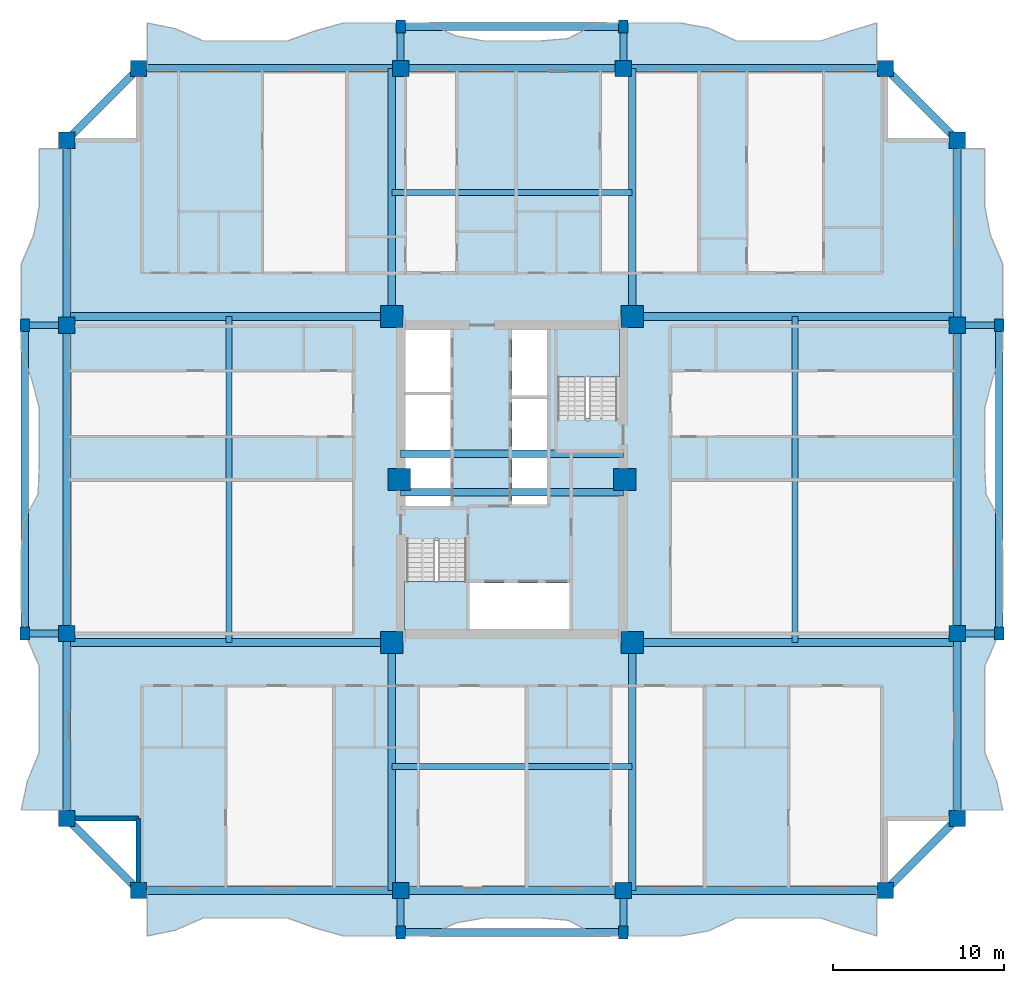
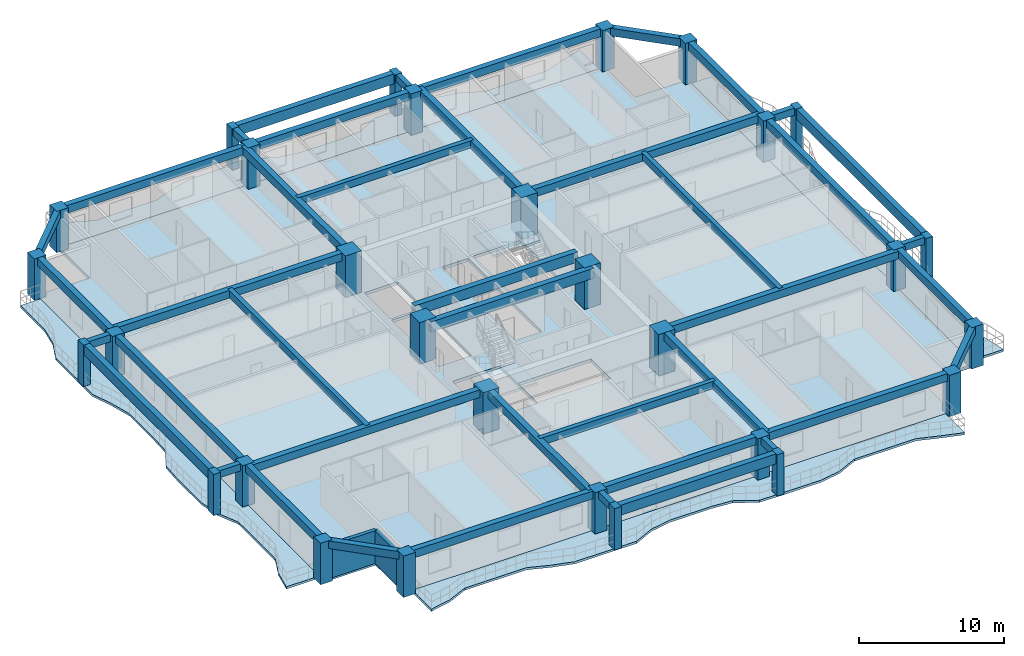
# One storey, part 1 of 17: 42 beams, 30 columns, 7 slabs, 2 walls, 2 elements without a shape of their own.
"""IFC4 building model written with IfcOpenShell, lengths in metres."""

from ifc_helpers import new_model, si_unit, direction, frame, frame_2d, origin, origin_2d, place, context, subcontext, project, spatial, polyline, rectangle, outline, extrude, source, transform, mapped, material, layer, layer_set, material_profile, profile_set, type_object, element, aggregate, save


model = new_model("IFC4")

# Units and contexts
model_context = context("Model", 3, precision=1e-05, world=origin(), true_north=direction((0.0, 1.0)))
body_context = subcontext(model_context, "Body", "Model", "MODEL_VIEW")
ifc_project = project(units=[si_unit("LENGTHUNIT", "METRE"), si_unit("AREAUNIT", "SQUARE_METRE"), si_unit("VOLUMEUNIT", "CUBIC_METRE"), si_unit("PLANEANGLEUNIT", "RADIAN"), si_unit("MASSUNIT", "GRAM", prefix="KILO")], contexts=[model_context])

# Site, building, storey
site_placement = place(None, origin())
site = spatial("IfcSite", under=ifc_project, at=site_placement, CompositionType="ELEMENT")
building_placement = place(site_placement, origin())
building = spatial("IfcBuilding", under=site, at=building_placement, Name="Saelheon Loggia Tower", CompositionType="ELEMENT")
storey_placement = place(building_placement, frame((0.0, 0.0, 74.35009765625)))
storey = spatial("IfcBuildingStorey", under=building, at=storey_placement, Name="L23", CompositionType="ELEMENT", Elevation=74.35009765625)

# Columns
ifc_material_1 = material(Name="Concrete C60/75", Category="concrete")
ifc_material_profile_1 = material_profile(ifc_material_1, rectangle(XDim=1.300048828125, YDim=1.300048828125, at=origin_2d()), Name="RC-1300x1300")
ifc_profile_set_1 = profile_set([ifc_material_profile_1], Name="Concrete C60/75")
column_type_1 = type_object("IfcColumnType", Name="Col_Core_RC1300", PredefinedType="COLUMN", material=ifc_profile_set_1)
shared_shape_1 = source(origin(), body_context, "Body", "SweptSolid", [
    extrude(rectangle(XDim=1.300048828125, YDim=1.300048828125, at=origin_2d()), origin(), (0.0, 0.0, 1.0), 3.5),
])
for number, where, z_axis, x_axis, name in (
    (1, (30.97998046875, 17.47998046875, 0.0), (0.0, 0.0, 1.0), (1.0, 0.0, 0.0), "L23 Core Column CR-SW"),
    (2, (45.02001953125, 17.47998046875, 0.0), (0.0, 0.0, 1.0), (1.0, 0.0, 0.0), "L23 Core Column CR-SE"),
    (3, (30.97998046875, 36.52001953125, 0.0), (0.0, 0.0, 1.0), (1.0, 0.0, 0.0), "L23 Core Column CR-NW"),
    (4, (45.02001953125, 36.52001953125, 0.0), (0.0, 0.0, 1.0), (1.0, 0.0, 0.0), "L23 Core Column CR-NE"),
    (5, (31.419921875, 27.0, 0.0), (0.0, 0.0, 1.0), (1.0, 0.0, 0.0), "L23 Core Column CR-MW"),
    (6, (44.580078125, 27.0, 0.0), (0.0, 0.0, 1.0), (1.0, 0.0, 0.0), "L23 Core Column CR-ME"),
):
    element("IfcColumn", number, at=place(storey_placement, frame(where, z_axis=z_axis, x_axis=x_axis)), inside=storey, type_object=column_type_1, Name=name, PredefinedType="COLUMN", context=body_context, shape_type="MappedRepresentation", body=[
        mapped(shared_shape_1, transform((0.0, 0.0, 0.0), scale=1.0)),
    ])
ifc_material_2 = material(Name="Concrete C50/60", Category="concrete")
ifc_material_profile_2 = material_profile(ifc_material_2, rectangle(XDim=0.949951171875, YDim=0.949951171875, at=origin_2d()), Name="RC-950x950")
ifc_profile_set_2 = profile_set([ifc_material_profile_2], Name="Concrete C50/60")
column_type_2 = type_object("IfcColumnType", Name="Col_Perim_RC950", PredefinedType="COLUMN", material=ifc_profile_set_2)
shared_shape_2 = source(origin(), body_context, "Body", "SweptSolid", [
    extrude(rectangle(XDim=0.949951171875, YDim=0.949951171875, at=origin_2d()), origin(), (0.0, 0.0, 1.0), 3.5),
])
for number, where, z_axis, x_axis, name in (
    (7, (16.199951171875, 3.0, 0.0), (0.0, 0.0, 1.0), (1.0, 0.0, 0.0), "L23 Perimeter Column TP-S1"),
    (8, (31.5, 3.0, 0.0), (0.0, 0.0, 1.0), (1.0, 0.0, 0.0), "L23 Perimeter Column TP-SA"),
    (9, (44.5, 3.0, 0.0), (0.0, 0.0, 1.0), (1.0, 0.0, 0.0), "L23 Perimeter Column TP-SB"),
    (10, (59.800048828125, 3.0, 0.0), (0.0, 0.0, 1.0), (1.0, 0.0, 0.0), "L23 Perimeter Column TP-S2"),
    (11, (64.0, 7.199951171875, 0.0), (0.0, 0.0, 1.0), (1.0, 0.0, 0.0), "L23 Perimeter Column TP-E1"),
    (12, (64.0, 18.0, 0.0), (0.0, 0.0, 1.0), (1.0, 0.0, 0.0), "L23 Perimeter Column TP-EA"),
    (13, (64.0, 36.0, 0.0), (0.0, 0.0, 1.0), (1.0, 0.0, 0.0), "L23 Perimeter Column TP-EB"),
    (14, (64.0, 46.800048828125, 0.0), (0.0, 0.0, 1.0), (1.0, 0.0, 0.0), "L23 Perimeter Column TP-E2"),
    (15, (59.800048828125, 51.0, 0.0), (0.0, 0.0, 1.0), (1.0, 0.0, 0.0), "L23 Perimeter Column TP-N2"),
    (16, (44.5, 51.0, 0.0), (0.0, 0.0, 1.0), (1.0, 0.0, 0.0), "L23 Perimeter Column TP-NB"),
    (17, (31.5, 51.0, 0.0), (0.0, 0.0, 1.0), (1.0, 0.0, 0.0), "L23 Perimeter Column TP-NA"),
    (18, (16.199951171875, 51.0, 0.0), (0.0, 0.0, 1.0), (1.0, 0.0, 0.0), "L23 Perimeter Column TP-N1"),
    (19, (12.0, 46.800048828125, 0.0), (0.0, 0.0, 1.0), (1.0, 0.0, 0.0), "L23 Perimeter Column TP-W2"),
    (20, (12.0, 36.0, 0.0), (0.0, 0.0, 1.0), (1.0, 0.0, 0.0), "L23 Perimeter Column TP-WB"),
    (21, (12.0, 18.0, 0.0), (0.0, 0.0, 1.0), (1.0, 0.0, 0.0), "L23 Perimeter Column TP-WA"),
    (22, (12.0, 7.199951171875, 0.0), (0.0, 0.0, 1.0), (1.0, 0.0, 0.0), "L23 Perimeter Column TP-W1"),
):
    element("IfcColumn", number, at=place(storey_placement, frame(where, z_axis=z_axis, x_axis=x_axis)), inside=storey, type_object=column_type_2, Name=name, PredefinedType="COLUMN", context=body_context, shape_type="MappedRepresentation", body=[
        mapped(shared_shape_2, transform((0.0, 0.0, 0.0), scale=1.0)),
    ])
ifc_material_3 = material(Name="Precast Concrete C45/55", Category="concrete")
ifc_material_profile_3 = material_profile(ifc_material_3, rectangle(XDim=0.550048828125, YDim=0.75, at=origin_2d()), Name="RC-550x750")
ifc_profile_set_3 = profile_set([ifc_material_profile_3], Name="Precast Concrete C45/55")
column_type_3 = type_object("IfcColumnType", Name="Col_Loggia_Pilaster_750", PredefinedType="PILASTER", material=ifc_profile_set_3)
shared_shape_3 = source(origin(), body_context, "Body", "SweptSolid", [
    extrude(rectangle(XDim=0.550048828125, YDim=0.75, at=origin_2d()), origin(), (0.0, 0.0, 1.0), 3.5),
])
for number, where, z_axis, x_axis, name in (
    (23, (31.5, 0.550048828125, 0.0), (0.0, 0.0, 1.0), (1.0, 0.0, 0.0), "L23 Loggia Frame Pilaster LP-S1"),
    (24, (44.5, 0.550048828125, 0.0), (0.0, 0.0, 1.0), (1.0, 0.0, 0.0), "L23 Loggia Frame Pilaster LP-S2"),
    (25, (31.5, 53.449951171875, 0.0), (0.0, 0.0, 1.0), (1.0, 0.0, 0.0), "L23 Loggia Frame Pilaster LP-N1"),
    (26, (44.5, 53.449951171875, 0.0), (0.0, 0.0, 1.0), (1.0, 0.0, 0.0), "L23 Loggia Frame Pilaster LP-N2"),
    (27, (66.449951171875, 18.0, 0.0), (0.0, 0.0, 1.0), (1.0, 0.0, 0.0), "L23 Loggia Frame Pilaster LP-E1"),
    (28, (66.449951171875, 36.0, 0.0), (0.0, 0.0, 1.0), (1.0, 0.0, 0.0), "L23 Loggia Frame Pilaster LP-E2"),
    (29, (9.550048828125, 18.0, 0.0), (0.0, 0.0, 1.0), (1.0, 0.0, 0.0), "L23 Loggia Frame Pilaster LP-W1"),
    (30, (9.550048828125, 36.0, 0.0), (0.0, 0.0, 1.0), (1.0, 0.0, 0.0), "L23 Loggia Frame Pilaster LP-W2"),
):
    element("IfcColumn", number, at=place(storey_placement, frame(where, z_axis=z_axis, x_axis=x_axis)), inside=storey, type_object=column_type_3, Name=name, PredefinedType="PILASTER", context=body_context, shape_type="MappedRepresentation", body=[
        mapped(shared_shape_3, transform((0.0, 0.0, 0.0), scale=1.0)),
    ])

# Beams
ifc_material_profile_4 = material_profile(ifc_material_2, rectangle(XDim=0.449951171875, YDim=0.85009765625, at=origin_2d()), Name="RC-450x850")
ifc_profile_set_4 = profile_set([ifc_material_profile_4], Name="Concrete C50/60")
beam_type_1 = type_object("IfcBeamType", Name="Beam_CoreLintel_RC450x850", PredefinedType="LINTEL", material=ifc_profile_set_4)
shared_shape_4 = source(origin(), body_context, "Body", "SweptSolid", [
    extrude(rectangle(XDim=0.449951171875, YDim=0.85009765625, at=origin_2d()), origin(), (0.0, 0.0, 1.0), 13.0),
])
for number, where, z_axis, x_axis, name in (
    (31, (31.5, 26.25, 3.074951171875), (1.0, 0.0, 0.0), (0.0, 1.0, 0.0), "L23 Core Coupling Lintel 1"),
    (32, (31.5, 28.5, 3.074951171875), (1.0, 0.0, 0.0), (0.0, 1.0, 0.0), "L23 Core Coupling Lintel 2"),
):
    element("IfcBeam", number, at=place(storey_placement, frame(where, z_axis=z_axis, x_axis=x_axis)), inside=storey, type_object=beam_type_1, Name=name, PredefinedType="LINTEL", context=body_context, shape_type="MappedRepresentation", body=[
        mapped(shared_shape_4, transform((0.0, 0.0, 0.0), scale=1.0)),
    ])
ifc_material_profile_5 = material_profile(ifc_material_3, rectangle(XDim=0.449951171875, YDim=0.85009765625, at=origin_2d()), Name="RC-450x850")
ifc_profile_set_5 = profile_set([ifc_material_profile_5], Name="Precast Concrete C45/55")
beam_type_2 = type_object("IfcBeamType", Name="Beam_LoggiaSpandrel_RC450x850", PredefinedType="SPANDREL", material=ifc_profile_set_5)
for number, where, z_axis, x_axis, name in (
    (33, (31.5, 0.550048828125, 3.074951171875), (1.0, 0.0, 0.0), (0.0, 1.0, 0.0), "L23 Loggia Spandrel Beam S"),
    (34, (31.5, 53.449951171875, 3.074951171875), (1.0, 0.0, 0.0), (0.0, 1.0, 0.0), "L23 Loggia Spandrel Beam N"),
):
    element("IfcBeam", number, at=place(storey_placement, frame(where, z_axis=z_axis, x_axis=x_axis)), inside=storey, type_object=beam_type_2, Name=name, PredefinedType="SPANDREL", context=body_context, shape_type="MappedRepresentation", body=[
        mapped(shared_shape_4, transform((0.0, 0.0, 0.0), scale=1.0)),
    ])
ifc_material_profile_6 = material_profile(ifc_material_3, rectangle(XDim=0.39990234375, YDim=0.60009765625, at=origin_2d()), Name="RC-400x600")
ifc_profile_set_6 = profile_set([ifc_material_profile_6], Name="Precast Concrete C45/55")
beam_type_3 = type_object("IfcBeamType", Name="Beam_LoggiaTie_RC400x600", PredefinedType="BEAM", material=ifc_profile_set_6)
shared_shape_5 = source(origin(), body_context, "Body", "SweptSolid", [
    extrude(rectangle(XDim=0.39990234375, YDim=0.60009765625, at=origin_2d()), origin(), (0.0, 0.0, 1.0), 2.449951171875),
])
for number, where, z_axis, x_axis, name in (
    (35, (31.5, 3.0, 3.199951171875), (0.0, -1.0, 0.0), (1.0, 0.0, 0.0), "L23 Loggia Frame Tie Beam LP-S1"),
    (36, (44.5, 3.0, 3.199951171875), (0.0, -1.0, 0.0), (1.0, 0.0, 0.0), "L23 Loggia Frame Tie Beam LP-S2"),
    (37, (31.5, 51.0, 3.199951171875), (0.0, 1.0, 0.0), (-1.0, 0.0, 0.0), "L23 Loggia Frame Tie Beam LP-N1"),
    (38, (44.5, 51.0, 3.199951171875), (0.0, 1.0, 0.0), (-1.0, 0.0, 0.0), "L23 Loggia Frame Tie Beam LP-N2"),
    (39, (64.0, 18.0, 3.199951171875), (1.0, 0.0, 0.0), (0.0, 1.0, 0.0), "L23 Loggia Frame Tie Beam LP-E1"),
    (40, (64.0, 36.0, 3.199951171875), (1.0, 0.0, 0.0), (0.0, 1.0, 0.0), "L23 Loggia Frame Tie Beam LP-E2"),
    (41, (12.0, 18.0, 3.199951171875), (-1.0, 0.0, 0.0), (0.0, -1.0, 0.0), "L23 Loggia Frame Tie Beam LP-W1"),
    (42, (12.0, 36.0, 3.199951171875), (-1.0, 0.0, 0.0), (0.0, -1.0, 0.0), "L23 Loggia Frame Tie Beam LP-W2"),
):
    element("IfcBeam", number, at=place(storey_placement, frame(where, z_axis=z_axis, x_axis=x_axis)), inside=storey, type_object=beam_type_3, Name=name, PredefinedType="BEAM", context=body_context, shape_type="MappedRepresentation", body=[
        mapped(shared_shape_5, transform((0.0, 0.0, 0.0), scale=1.0)),
    ])
shared_shape_6 = source(origin(), body_context, "Body", "SweptSolid", [
    extrude(rectangle(XDim=0.449951171875, YDim=0.85009765625, at=origin_2d()), origin(), (0.0, 0.0, 1.0), 18.0),
])
for number, where, z_axis, x_axis, name in (
    (43, (66.449951171875, 18.0, 3.074951171875), (0.0, 1.0, 0.0), (-1.0, 0.0, 0.0), "L23 Loggia Spandrel Beam E"),
    (44, (9.550048828125, 18.0, 3.074951171875), (0.0, 1.0, 0.0), (-1.0, 0.0, 0.0), "L23 Loggia Spandrel Beam W"),
):
    element("IfcBeam", number, at=place(storey_placement, frame(where, z_axis=z_axis, x_axis=x_axis)), inside=storey, type_object=beam_type_2, Name=name, PredefinedType="SPANDREL", context=body_context, shape_type="MappedRepresentation", body=[
        mapped(shared_shape_6, transform((0.0, 0.0, 0.0), scale=1.0)),
    ])
ifc_material_4 = material(Name="Concrete C45/55", Category="concrete")
ifc_material_profile_7 = material_profile(ifc_material_4, rectangle(XDim=0.35009765625, YDim=0.60009765625, at=origin_2d()), Name="RC-350x600")
ifc_profile_set_7 = profile_set([ifc_material_profile_7], Name="Concrete C45/55")
beam_type_4 = type_object("IfcBeamType", Name="Beam_AmenityJoist_RC350x600", PredefinedType="JOIST", material=ifc_profile_set_7)
shared_shape_7 = source(origin(), body_context, "Body", "SweptSolid", [
    extrude(rectangle(XDim=0.35009765625, YDim=0.60009765625, at=origin_2d()), origin(), (0.0, 0.0, 1.0), 14.0400390625),
])
for number, where, z_axis, x_axis, name in (
    (45, (30.97998046875, 10.239990234375, 3.199951171875), (1.0, 0.0, 0.0), (0.0, 1.0, 0.0), "L23 South Floor Joist"),
    (46, (30.97998046875, 43.760009765625, 3.199951171875), (1.0, 0.0, 0.0), (0.0, 1.0, 0.0), "L23 North Floor Joist"),
):
    element("IfcBeam", number, at=place(storey_placement, frame(where, z_axis=z_axis, x_axis=x_axis)), inside=storey, type_object=beam_type_4, Name=name, PredefinedType="JOIST", context=body_context, shape_type="MappedRepresentation", body=[
        mapped(shared_shape_7, transform((0.0, 0.0, 0.0), scale=1.0)),
    ])
shared_shape_8 = source(origin(), body_context, "Body", "SweptSolid", [
    extrude(rectangle(XDim=0.35009765625, YDim=0.60009765625, at=origin_2d()), origin(), (0.0, 0.0, 1.0), 19.0400390625),
])
for number, where, z_axis, x_axis, name in (
    (47, (21.489990234375, 17.47998046875, 3.199951171875), (0.0, 1.0, 0.0), (-1.0, 0.0, 0.0), "L23 West Floor Joist"),
    (48, (54.510009765625, 17.47998046875, 3.199951171875), (0.0, 1.0, 0.0), (-1.0, 0.0, 0.0), "L23 East Floor Joist"),
):
    element("IfcBeam", number, at=place(storey_placement, frame(where, z_axis=z_axis, x_axis=x_axis)), inside=storey, type_object=beam_type_4, Name=name, PredefinedType="JOIST", context=body_context, shape_type="MappedRepresentation", body=[
        mapped(shared_shape_8, transform((0.0, 0.0, 0.0), scale=1.0)),
    ])
ifc_material_5 = material(Name="Concrete C40/50", Category="concrete")
ifc_material_profile_8 = material_profile(ifc_material_5, rectangle(XDim=0.449951171875, YDim=0.64990234375, at=origin_2d()), Name="RC-450x650")
ifc_profile_set_8 = profile_set([ifc_material_profile_8], Name="Concrete C40/50")
beam_type_5 = type_object("IfcBeamType", Name="Beam_PerimTower_RC450x650", PredefinedType="BEAM", material=ifc_profile_set_8)
shared_shape_9 = source(origin(), body_context, "Body", "SweptSolid", [
    extrude(rectangle(XDim=0.449951171875, YDim=0.64990234375, at=origin_2d()), origin(), (0.0, 0.0, 1.0), 15.300048828125),
])
for number, where, z_axis, x_axis, name in (
    (49, (16.199951171875, 3.0, 3.1748046875), (1.0, 0.0, 0.0), (0.0, 1.0, 0.0), "L23 Perimeter Frame Girder 01"),
    (50, (44.5, 3.0, 3.1748046875), (1.0, 0.0, 0.0), (0.0, 1.0, 0.0), "L23 Perimeter Frame Girder 03"),
    (51, (59.800048828125, 51.0, 3.1748046875), (-1.0, 0.0, 0.0), (0.0, -1.0, 0.0), "L23 Perimeter Frame Girder 09"),
    (52, (31.5, 51.0, 3.1748046875), (-1.0, 0.0, 0.0), (0.0, -1.0, 0.0), "L23 Perimeter Frame Girder 11"),
):
    element("IfcBeam", number, at=place(storey_placement, frame(where, z_axis=z_axis, x_axis=x_axis)), inside=storey, type_object=beam_type_5, Name=name, PredefinedType="BEAM", context=body_context, shape_type="MappedRepresentation", body=[
        mapped(shared_shape_9, transform((0.0, 0.0, 0.0), scale=1.0)),
    ])
shared_shape_10 = source(origin(), body_context, "Body", "SweptSolid", [
    extrude(rectangle(XDim=0.449951171875, YDim=0.64990234375, at=origin_2d()), origin(), (0.0, 0.0, 1.0), 13.0),
])
for number, where, z_axis, x_axis, name in (
    (53, (31.5, 3.0, 3.1748046875), (1.0, 0.0, 0.0), (0.0, 1.0, 0.0), "L23 Perimeter Frame Girder 02"),
    (54, (44.5, 51.0, 3.1748046875), (-1.0, 0.0, 0.0), (0.0, -1.0, 0.0), "L23 Perimeter Frame Girder 10"),
):
    element("IfcBeam", number, at=place(storey_placement, frame(where, z_axis=z_axis, x_axis=x_axis)), inside=storey, type_object=beam_type_5, Name=name, PredefinedType="BEAM", context=body_context, shape_type="MappedRepresentation", body=[
        mapped(shared_shape_10, transform((0.0, 0.0, 0.0), scale=1.0)),
    ])
shared_shape_11 = source(origin(), body_context, "Body", "SweptSolid", [
    extrude(rectangle(XDim=0.449951171875, YDim=0.64990234375, at=origin_2d()), origin(), (0.0, 0.0, 1.0), 5.939697265625),
])
for number, where, z_axis, x_axis, name in (
    (55, (59.800048828125, 3.0, 3.1748046875), (0.707106781187, 0.707106781187, 0.0), (-0.707106781187, 0.707106781187, 0.0), "L23 Perimeter Frame Girder 04"),
    (56, (64.0, 46.800048828125, 3.1748046875), (-0.707106781187, 0.707106781187, 0.0), (-0.707106781187, -0.707106781187, 0.0), "L23 Perimeter Frame Girder 08"),
    (57, (16.199951171875, 51.0, 3.1748046875), (-0.707106781187, -0.707106781187, 0.0), (0.707106781187, -0.707106781187, 0.0), "L23 Perimeter Frame Girder 12"),
    (58, (12.0, 7.199951171875, 3.1748046875), (0.707106781187, -0.707106781187, 0.0), (0.707106781187, 0.707106781187, 0.0), "L23 Perimeter Frame Girder 16"),
):
    element("IfcBeam", number, at=place(storey_placement, frame(where, z_axis=z_axis, x_axis=x_axis)), inside=storey, type_object=beam_type_5, Name=name, PredefinedType="BEAM", context=body_context, shape_type="MappedRepresentation", body=[
        mapped(shared_shape_11, transform((0.0, 0.0, 0.0), scale=1.0)),
    ])
shared_shape_12 = source(origin(), body_context, "Body", "SweptSolid", [
    extrude(rectangle(XDim=0.449951171875, YDim=0.64990234375, at=origin_2d()), origin(), (0.0, 0.0, 1.0), 10.800048828125),
])
for number, where, z_axis, x_axis, name in (
    (59, (64.0, 7.199951171875, 3.1748046875), (0.0, 1.0, 0.0), (-1.0, 0.0, 0.0), "L23 Perimeter Frame Girder 05"),
    (60, (64.0, 36.0, 3.1748046875), (0.0, 1.0, 0.0), (-1.0, 0.0, 0.0), "L23 Perimeter Frame Girder 07"),
    (61, (12.0, 46.800048828125, 3.1748046875), (0.0, -1.0, 0.0), (1.0, 0.0, 0.0), "L23 Perimeter Frame Girder 13"),
    (62, (12.0, 18.0, 3.1748046875), (0.0, -1.0, 0.0), (1.0, 0.0, 0.0), "L23 Perimeter Frame Girder 15"),
):
    element("IfcBeam", number, at=place(storey_placement, frame(where, z_axis=z_axis, x_axis=x_axis)), inside=storey, type_object=beam_type_5, Name=name, PredefinedType="BEAM", context=body_context, shape_type="MappedRepresentation", body=[
        mapped(shared_shape_12, transform((0.0, 0.0, 0.0), scale=1.0)),
    ])
shared_shape_13 = source(origin(), body_context, "Body", "SweptSolid", [
    extrude(rectangle(XDim=0.449951171875, YDim=0.64990234375, at=origin_2d()), origin(), (0.0, 0.0, 1.0), 18.0),
])
for number, where, z_axis, x_axis, name in (
    (63, (64.0, 18.0, 3.1748046875), (0.0, 1.0, 0.0), (-1.0, 0.0, 0.0), "L23 Perimeter Frame Girder 06"),
    (64, (12.0, 36.0, 3.1748046875), (0.0, -1.0, 0.0), (1.0, 0.0, 0.0), "L23 Perimeter Frame Girder 14"),
):
    element("IfcBeam", number, at=place(storey_placement, frame(where, z_axis=z_axis, x_axis=x_axis)), inside=storey, type_object=beam_type_5, Name=name, PredefinedType="BEAM", context=body_context, shape_type="MappedRepresentation", body=[
        mapped(shared_shape_13, transform((0.0, 0.0, 0.0), scale=1.0)),
    ])
ifc_material_profile_9 = material_profile(ifc_material_5, rectangle(XDim=0.449951171875, YDim=0.64990234375, at=origin_2d()), Name="RC-450x650")
ifc_profile_set_9 = profile_set([ifc_material_profile_9], Name="Concrete C40/50")
beam_type_6 = type_object("IfcBeamType", Name="Beam_TowerGirder_RC450x650", PredefinedType="BEAM", material=ifc_profile_set_9)
shared_shape_14 = source(origin(), body_context, "Body", "SweptSolid", [
    extrude(rectangle(XDim=0.449951171875, YDim=0.64990234375, at=origin_2d()), origin(), (0.0, 0.0, 1.0), 14.47998046875),
])
for number, where, z_axis, x_axis, name in (
    (65, (30.97998046875, 17.47998046875, 3.1748046875), (0.0, -1.0, 0.0), (1.0, 0.0, 0.0), "L23 Radial Floor Girder RAD-SW-S"),
    (66, (45.02001953125, 17.47998046875, 3.1748046875), (0.0, -1.0, 0.0), (1.0, 0.0, 0.0), "L23 Radial Floor Girder RAD-SE-S"),
    (67, (30.97998046875, 36.52001953125, 3.1748046875), (0.0, 1.0, 0.0), (-1.0, 0.0, 0.0), "L23 Radial Floor Girder RAD-NW-N"),
    (68, (45.02001953125, 36.52001953125, 3.1748046875), (0.0, 1.0, 0.0), (-1.0, 0.0, 0.0), "L23 Radial Floor Girder RAD-NE-N"),
):
    element("IfcBeam", number, at=place(storey_placement, frame(where, z_axis=z_axis, x_axis=x_axis)), inside=storey, type_object=beam_type_6, Name=name, PredefinedType="BEAM", context=body_context, shape_type="MappedRepresentation", body=[
        mapped(shared_shape_14, transform((0.0, 0.0, 0.0), scale=1.0)),
    ])
shared_shape_15 = source(origin(), body_context, "Body", "SweptSolid", [
    extrude(rectangle(XDim=0.449951171875, YDim=0.64990234375, at=origin_2d()), origin(), (0.0, 0.0, 1.0), 18.97998046875),
])
for number, where, z_axis, x_axis, name in (
    (69, (30.97998046875, 17.47998046875, 3.1748046875), (-1.0, 0.0, 0.0), (0.0, -1.0, 0.0), "L23 Radial Floor Girder RAD-SW-W"),
    (70, (30.97998046875, 36.52001953125, 3.1748046875), (-1.0, 0.0, 0.0), (0.0, -1.0, 0.0), "L23 Radial Floor Girder RAD-NW-W"),
    (71, (45.02001953125, 17.47998046875, 3.1748046875), (1.0, 0.0, 0.0), (0.0, 1.0, 0.0), "L23 Radial Floor Girder RAD-SE-E"),
    (72, (45.02001953125, 36.52001953125, 3.1748046875), (1.0, 0.0, 0.0), (0.0, 1.0, 0.0), "L23 Radial Floor Girder RAD-NE-E"),
):
    element("IfcBeam", number, at=place(storey_placement, frame(where, z_axis=z_axis, x_axis=x_axis)), inside=storey, type_object=beam_type_6, Name=name, PredefinedType="BEAM", context=body_context, shape_type="MappedRepresentation", body=[
        mapped(shared_shape_15, transform((0.0, 0.0, 0.0), scale=1.0)),
    ])

# Slabs
ifc_layer_1 = layer(ifc_material_4, 0.260009765625)
ifc_layer_set_1 = layer_set([ifc_layer_1], Name="Concrete C45/55")
slab_type_1 = type_object("IfcSlabType", Name="Slab_Amenity_260", PredefinedType="FLOOR", material=ifc_layer_set_1)
slab_1_placement = place(storey_placement, frame((0.0, 0.0, -0.260009765625)))
element("IfcSlab", 73, at=slab_1_placement, inside=storey, type_object=slab_type_1, Name="L23 Tower Floor Slab", PredefinedType="FLOOR", context=body_context, shape_type="SweptSolid", body=[
    extrude(outline(polyline([(16.199951171875, 3.0), (59.800048828125, 3.0), (59.800048828125, 7.199951171875), (64.0, 7.199951171875), (64.0, 46.800048828125), (59.800048828125, 46.800048828125), (59.800048828125, 51.0), (16.199951171875, 51.0), (16.199951171875, 46.800048828125), (12.0, 46.800048828125), (12.0, 7.199951171875), (16.199951171875, 7.199951171875), (16.199951171875, 3.0)]), holes=[polyline([(31.699951171875, 23.409912109375), (31.699951171875, 18.199951171875), (35.47998046875, 18.199951171875), (35.47998046875, 23.409912109375), (31.699951171875, 23.409912109375)]), polyline([(44.300048828125, 30.590087890625), (44.300048828125, 35.800048828125), (40.52001953125, 35.800048828125), (40.52001953125, 30.590087890625), (44.300048828125, 30.590087890625)]), polyline([(35.530029296875, 18.27490234375), (41.35009765625, 18.27490234375), (41.35009765625, 20.9599609375), (35.530029296875, 20.9599609375), (35.530029296875, 18.27490234375)]), polyline([(31.77490234375, 32.1201171875), (34.419921875, 32.1201171875), (34.419921875, 35.72509765625), (31.77490234375, 35.72509765625), (31.77490234375, 32.1201171875)]), polyline([(38.0, 31.89990234375), (40.050048828125, 31.89990234375), (40.050048828125, 35.72509765625), (38.0, 35.72509765625), (38.0, 31.89990234375)]), polyline([(31.77490234375, 25.449951171875), (34.419921875, 25.449951171875), (34.419921875, 31.919921875), (31.77490234375, 31.919921875), (31.77490234375, 25.449951171875)]), polyline([(38.0, 25.5400390625), (40.050048828125, 25.5400390625), (40.050048828125, 31.699951171875), (38.0, 31.699951171875), (38.0, 25.5400390625)])]), origin(), (0.0, 0.0, 1.0), 0.260009765625),
])
ifc_layer_2 = layer(ifc_material_3, 0.18994140625)
ifc_layer_set_2 = layer_set([ifc_layer_2], Name="Precast Concrete C45/55")
slab_type_2 = type_object("IfcSlabType", Name="Slab_Loggia_Ext_190", PredefinedType="FLOOR", material=ifc_layer_set_2)
slab_2_placement = place(storey_placement, frame((0.0, 0.0, -0.190185546875)))
element("IfcSlab", 74, at=slab_2_placement, inside=storey, type_object=slab_type_2, Name="L23 Loggia Balcony Slab S", PredefinedType="FLOOR", context=body_context, shape_type="SweptSolid", body=[
    extrude(outline(polyline([(16.699951171875, 0.35009765625), (18.33837890625, 0.680908203125), (19.976806640625, 1.39990234375), (21.615478515625, 1.39990234375), (23.25390625, 1.39990234375), (24.892333984375, 1.39990234375), (26.53076171875, 0.80615234375), (28.169189453125, 0.35009765625), (29.8076171875, 0.35009765625), (31.4462890625, 0.35009765625), (33.084716796875, 0.35009765625), (34.72314453125, 1.105712890625), (36.361572265625, 1.39990234375), (38.0, 1.39990234375), (39.638427734375, 1.39990234375), (41.27685546875, 1.263671875), (42.915283203125, 0.388916015625), (44.5537109375, 0.35009765625), (46.1923828125, 0.35009765625), (47.830810546875, 0.35009765625), (49.46923828125, 0.643798828125), (51.107666015625, 1.39990234375), (52.74609375, 1.39990234375), (54.384521484375, 1.39990234375), (56.023193359375, 1.39990234375), (57.66162109375, 0.84375), (59.300048828125, 0.35009765625), (59.300048828125, 3.0), (16.699951171875, 3.0), (16.699951171875, 0.35009765625)])), origin(), (0.0, 0.0, 1.0), 0.190185546875),
])
slab_3_placement = place(storey_placement, frame((0.0, 0.0, -0.190185546875)))
element("IfcSlab", 75, at=slab_3_placement, inside=storey, type_object=slab_type_2, Name="L23 Loggia Balcony Slab N", PredefinedType="FLOOR", context=body_context, shape_type="SweptSolid", body=[
    extrude(outline(polyline([(16.699951171875, 51.0), (59.300048828125, 51.0), (59.300048828125, 53.64990234375), (57.66162109375, 53.15625), (56.023193359375, 52.60009765625), (54.384521484375, 52.60009765625), (52.74609375, 52.60009765625), (51.107666015625, 52.60009765625), (49.46923828125, 53.356201171875), (47.830810546875, 53.64990234375), (46.1923828125, 53.64990234375), (44.5537109375, 53.64990234375), (42.915283203125, 53.611083984375), (41.27685546875, 52.736328125), (39.638427734375, 52.60009765625), (38.0, 52.60009765625), (36.361572265625, 52.60009765625), (34.72314453125, 52.894287109375), (33.084716796875, 53.64990234375), (31.4462890625, 53.64990234375), (29.8076171875, 53.64990234375), (28.169189453125, 53.64990234375), (26.53076171875, 53.19384765625), (24.892333984375, 52.60009765625), (23.25390625, 52.60009765625), (21.615478515625, 52.60009765625), (19.976806640625, 52.60009765625), (18.33837890625, 53.319091796875), (16.699951171875, 53.64990234375), (16.699951171875, 51.0)])), origin(), (0.0, 0.0, 1.0), 0.190185546875),
])
slab_4_placement = place(storey_placement, frame((0.0, 0.0, -0.190185546875)))
element("IfcSlab", 76, at=slab_4_placement, inside=storey, type_object=slab_type_2, Name="L23 Loggia Balcony Slab E", PredefinedType="FLOOR", context=body_context, shape_type="SweptSolid", body=[
    extrude(outline(polyline([(64.0, 7.699951171875), (66.64990234375, 7.699951171875), (66.297607421875, 9.37841796875), (65.60009765625, 11.056396484375), (65.60009765625, 12.73486328125), (65.60009765625, 14.4130859375), (65.60009765625, 16.09130859375), (66.3232421875, 17.76953125), (66.64990234375, 19.44775390625), (66.64990234375, 21.126220703125), (66.64990234375, 22.80419921875), (66.560546875, 24.482666015625), (65.665771484375, 26.160888671875), (65.60009765625, 27.839111328125), (65.60009765625, 29.517333984375), (65.60009765625, 31.19580078125), (66.05419921875, 32.873779296875), (66.64990234375, 34.55224609375), (66.64990234375, 36.23046875), (66.64990234375, 37.90869140625), (66.64990234375, 39.5869140625), (65.92529296875, 41.26513671875), (65.60009765625, 42.943603515625), (65.60009765625, 44.62158203125), (65.60009765625, 46.300048828125), (64.0, 46.300048828125), (64.0, 7.699951171875)])), origin(), (0.0, 0.0, 1.0), 0.190185546875),
])
slab_5_placement = place(storey_placement, frame((0.0, 0.0, -0.190185546875)))
element("IfcSlab", 77, at=slab_5_placement, inside=storey, type_object=slab_type_2, Name="L23 Loggia Balcony Slab W", PredefinedType="FLOOR", context=body_context, shape_type="SweptSolid", body=[
    extrude(outline(polyline([(12.0, 7.699951171875), (12.0, 46.300048828125), (10.39990234375, 46.300048828125), (10.39990234375, 44.62158203125), (10.39990234375, 42.943603515625), (10.07470703125, 41.26513671875), (9.35009765625, 39.5869140625), (9.35009765625, 37.90869140625), (9.35009765625, 36.23046875), (9.35009765625, 34.55224609375), (9.94580078125, 32.873779296875), (10.39990234375, 31.19580078125), (10.39990234375, 29.517333984375), (10.39990234375, 27.839111328125), (10.334228515625, 26.160888671875), (9.439453125, 24.482666015625), (9.35009765625, 22.80419921875), (9.35009765625, 21.126220703125), (9.35009765625, 19.44775390625), (9.6767578125, 17.76953125), (10.39990234375, 16.09130859375), (10.39990234375, 14.4130859375), (10.39990234375, 12.73486328125), (10.39990234375, 11.056396484375), (9.702392578125, 9.37841796875), (9.35009765625, 7.699951171875), (12.0, 7.699951171875)])), origin(), (0.0, 0.0, 1.0), 0.190185546875),
])

# Stair, slab
stair_type = type_object("IfcStairType", Name="Stair_Escape_Core", PredefinedType="HALF_TURN_STAIR", material=ifc_material_5)
stair_1_placement = place(storey_placement, origin())
stair_1 = element("IfcStair", 78, at=stair_1_placement, inside=storey, type_object=stair_type, Name="L23 Special Escape Stair ST1", PredefinedType="HALF_TURN_STAIR")
ifc_layer_3 = layer(ifc_material_5, 0.199951171875)
ifc_layer_set_3 = layer_set([ifc_layer_3], Name="Concrete C40/50")
slab_type_3 = type_object("IfcSlabType", Name="Slab_StairLanding_ST1", PredefinedType="LANDING", material=ifc_layer_set_3)
slab_6_placement = place(storey_placement, frame((0.0, 0.0, 1.5498046875)))
slab_6 = element("IfcSlab", 79, at=slab_6_placement, type_object=slab_type_3, Name="ST1 landing 1", PredefinedType="LANDING", context=body_context, shape_type="SweptSolid", body=[
    extrude(outline(polyline([(31.7099609375, 21.030029296875), (31.7099609375, 18.2099609375), (35.469970703125, 18.2099609375), (35.469970703125, 21.030029296875), (31.7099609375, 21.030029296875)])), origin(), (0.0, 0.0, 1.0), 0.2001953125),
])
aggregate(stair_1, [slab_6])

stair_2_placement = place(storey_placement, origin())
stair_2 = element("IfcStair", 80, at=stair_2_placement, inside=storey, type_object=stair_type, Name="L23 Special Escape Stair ST2", PredefinedType="HALF_TURN_STAIR")
ifc_layer_4 = layer(ifc_material_5, 0.199951171875)
ifc_layer_set_4 = layer_set([ifc_layer_4], Name="Concrete C40/50")
slab_type_4 = type_object("IfcSlabType", Name="Slab_StairLanding_ST2", PredefinedType="LANDING", material=ifc_layer_set_4)
slab_7_placement = place(storey_placement, frame((0.0, 0.0, 1.5498046875)))
slab_7 = element("IfcSlab", 81, at=slab_7_placement, type_object=slab_type_4, Name="ST2 landing 1", PredefinedType="LANDING", context=body_context, shape_type="SweptSolid", body=[
    extrude(outline(polyline([(44.2900390625, 32.969970703125), (44.2900390625, 35.7900390625), (40.530029296875, 35.7900390625), (40.530029296875, 32.969970703125), (44.2900390625, 32.969970703125)])), origin(), (0.0, 0.0, 1.0), 0.2001953125),
])
aggregate(stair_2, [slab_7])

# Walls
ifc_material_6 = material(Name="Architectural Precast Concrete C40/50", Category="concrete")
ifc_layer_5 = layer(ifc_material_6, 0.280029296875)
ifc_layer_set_5 = layer_set([ifc_layer_5], Name="Architectural Precast Concrete C40/50")
wall_type = type_object("IfcWallType", Name="Wall_Ext_Loggia_280", PredefinedType="SOLIDWALL", material=ifc_layer_set_5)
for number, where, z_axis, x_axis, name in (
    (82, (16.199951171875, 3.080078125, 0.0), (0.0, 0.0, 1.0), (0.0, 1.0, 0.0), "L23 Corner Notch Precast Wall SW1"),
    (83, (12.080078125, 7.199951171875, 0.0), (0.0, 0.0, 1.0), (1.0, 0.0, 0.0), "L23 Corner Notch Precast Wall SW2"),
):
    element("IfcWall", number, at=place(storey_placement, frame(where, z_axis=z_axis, x_axis=x_axis)), inside=storey, type_object=wall_type, Name=name, PredefinedType="SOLIDWALL", context=body_context, shape_type="SweptSolid", body=[
        extrude(rectangle(XDim=4.119873046875, YDim=0.280029296875, at=frame_2d((2.06005859375, 0.0))), origin(), (0.0, 0.0, 1.0), 2.77978515625),
    ])

save(model, "model.ifc")
